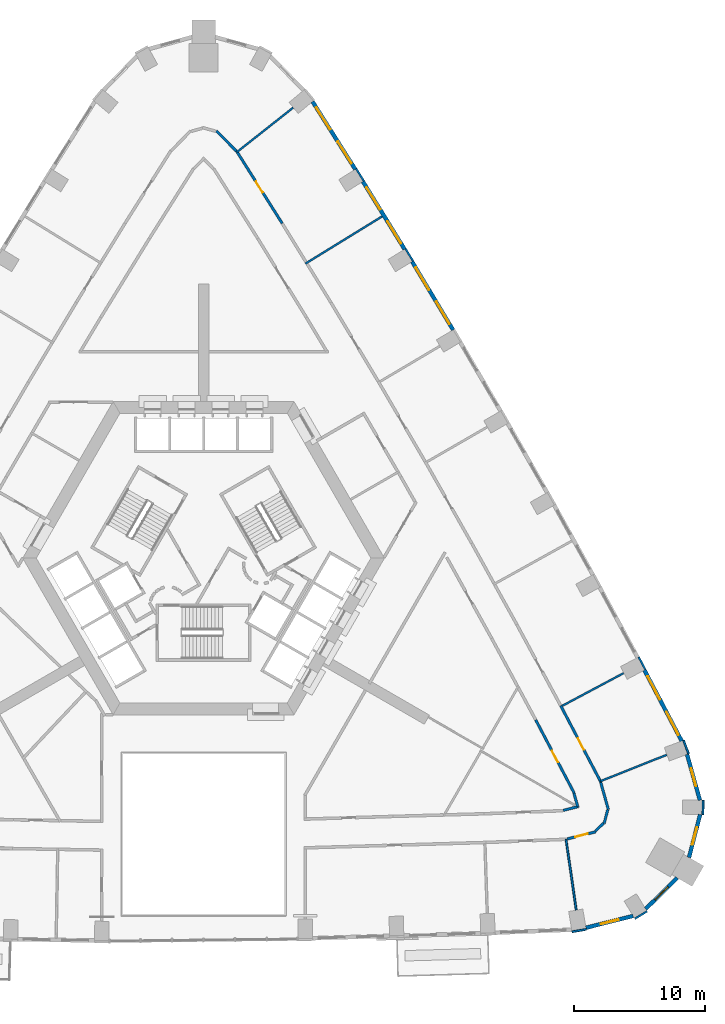
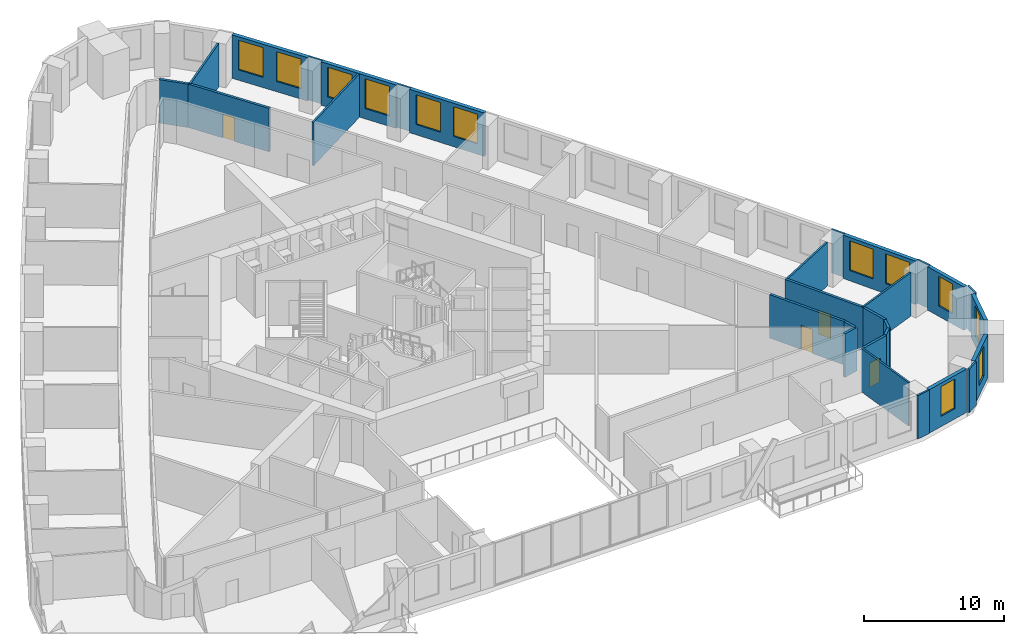
# One storey, part 11 of 14: 30 walls, 12 windows, 4 doors, 16 openings.
"""IFC4 building model written with IfcOpenShell, lengths in metres."""

import ifcopenshell
import ifcopenshell.guid

model = None  # the IFC model being written
_history = None  # IfcOwnerHistory: only IFC2X3 demands one
_inside = {}  # id of a spatial element -> (the spatial element, [elements in it])
_under = {}  # id of a project, library or spatial element -> (it, [spatial elements below it])
_declared = {}  # id of a project -> (the project, [libraries it declares])
_typed = {}  # id of a type object -> (the type object, [elements of that type])
_made_of = {}  # id of a material, layer set ... -> (it, [elements and type objects made of it])


def new_model(schema):
    """Start an empty IFC model of exactly this schema.

    Asked for "IFC4X3", IfcOpenShell would pick the latest addendum, in which some entities
    have other attributes; the version numbers below select the first issue.
    IFC2X3 requires an IfcOwnerHistory on every rooted entity: one is made here for all.
    """
    global model, _history
    if schema == "IFC4X3":
        model = ifcopenshell.file(schema_version=(4, 3, 0, 0))
    else:
        model = ifcopenshell.file(schema=schema)
    _inside.clear()
    _under.clear()
    _declared.clear()
    _typed.clear()
    _made_of.clear()
    _history = None
    if model.schema == "IFC2X3":
        org = make("IfcOrganization", Name="unknown")
        user = make(
            "IfcPersonAndOrganization",
            ThePerson=make("IfcPerson", FamilyName="unknown"),
            TheOrganization=org,
        )
        app = make(
            "IfcApplication",
            ApplicationDeveloper=org,
            Version="unknown",
            ApplicationFullName="unknown",
            ApplicationIdentifier="unknown",
        )
        _history = make(
            "IfcOwnerHistory",
            OwningUser=user,
            OwningApplication=app,
            ChangeAction="ADDED",
            CreationDate=0,
        )
    return model


def make(cls, **values):
    """One entity of the class cls with the attributes given. An attribute that is None is left unset."""
    return model.create_entity(
        cls, **{name: value for name, value in values.items() if value is not None}
    )


def rooted(cls, **values):
    """An entity with a GlobalId (a new one), such as an element, a storey or a relation."""
    return make(cls, GlobalId=ifcopenshell.guid.new(), OwnerHistory=_history, **values)


def si_unit(unit_type, name, prefix=None):
    """IfcSIUnit, for example si_unit("LENGTHUNIT", "METRE", prefix="MILLI")."""
    return make("IfcSIUnit", UnitType=unit_type, Prefix=prefix, Name=name)


def assignment(units):
    """IfcUnitAssignment: the units of a project."""
    return None if units is None else make("IfcUnitAssignment", Units=units)


def point(xyz):
    """IfcCartesianPoint."""
    return None if xyz is None else make("IfcCartesianPoint", Coordinates=xyz)


def direction(xyz):
    """IfcDirection."""
    return None if xyz is None else make("IfcDirection", DirectionRatios=xyz)


def frame(location, z_axis=None, x_axis=None):
    """IfcAxis2Placement3D, a coordinate frame: its origin and axes. An axis left out is left unset."""
    return make(
        "IfcAxis2Placement3D",
        Location=point(location),
        Axis=direction(z_axis),
        RefDirection=direction(x_axis),
    )


def frame_2d(location, x_axis=None):
    """IfcAxis2Placement2D, a coordinate frame in the plane: its origin and x axis."""
    return make(
        "IfcAxis2Placement2D", Location=point(location), RefDirection=direction(x_axis)
    )


def origin():
    """The frame at (0, 0, 0) with its axes left unset."""
    return frame((0.0, 0.0, 0.0))


def place(relative_to, where):
    """IfcLocalPlacement: puts the frame where relative to a parent placement (None: the world)."""
    return make(
        "IfcLocalPlacement", PlacementRelTo=relative_to, RelativePlacement=where
    )


def context(
    kind, dimensions, precision=None, world=None, true_north=None, identifier=None
):
    """IfcGeometricRepresentationContext, for example the 3D "Model" context."""
    return make(
        "IfcGeometricRepresentationContext",
        ContextIdentifier=identifier,
        ContextType=kind,
        CoordinateSpaceDimension=dimensions,
        Precision=precision,
        WorldCoordinateSystem=world,
        TrueNorth=true_north,
    )


def subcontext(parent, identifier, kind, view, scale=None):
    """IfcGeometricRepresentationSubContext, for example "Body" below "Model"."""
    return make(
        "IfcGeometricRepresentationSubContext",
        ContextIdentifier=identifier,
        ContextType=kind,
        ParentContext=parent,
        TargetScale=scale,
        TargetView=view,
    )


def project(units=None, contexts=None):
    """IfcProject with its units and contexts."""
    return rooted(
        "IfcProject",
        Name="project",
        RepresentationContexts=contexts,
        UnitsInContext=assignment(units),
    )


def spatial(cls, under=None, at=None, **own):
    """A site, building, storey or space (cls), placed at a placement, below another one or the project."""
    s = rooted(cls, ObjectPlacement=at, **own)
    if under is not None:
        _under.setdefault(under.id(), (under, []))[1].append(s)
    return s


def profile(cls, at=None, kind="AREA", **sizes):
    """A parametric profile (cls). Its sizes go by their IFC names, for example OverallWidth=200.0."""
    return make(cls, ProfileType=kind, Position=at, **sizes)


def rectangle(**sizes):
    """IfcRectangleProfileDef."""
    return profile("IfcRectangleProfileDef", **sizes)


def extrude(swept, where, along, depth):
    """IfcExtrudedAreaSolid: the profile swept, set in the frame where, extruded along a direction by depth."""
    return make(
        "IfcExtrudedAreaSolid",
        SweptArea=swept,
        Position=where,
        ExtrudedDirection=direction(along),
        Depth=depth,
    )


def shape(context_of_items, identifier, shape_type, items):
    """IfcShapeRepresentation: the items that make up one representation, for example the "Body"."""
    return make(
        "IfcShapeRepresentation",
        ContextOfItems=context_of_items,
        RepresentationIdentifier=identifier,
        RepresentationType=shape_type,
        Items=items,
    )


def material(Name=None, Category=None):
    """IfcMaterial."""
    return make("IfcMaterial", Name=Name, Category=Category)


def layer(
    of_material, thickness, ventilated=None, Name=None, Category=None, Priority=None
):
    """IfcMaterialLayer: one layer of a wall or slab, of a material (None: an air gap)."""
    return make(
        "IfcMaterialLayer",
        Material=of_material,
        LayerThickness=thickness,
        IsVentilated=ventilated,
        Name=Name,
        Category=Category,
        Priority=Priority,
    )


def layer_set(layers, Name=None):
    """IfcMaterialLayerSet."""
    return make("IfcMaterialLayerSet", MaterialLayers=layers, LayerSetName=Name)


def made_of(thing, what):
    """Note that an element or type object is made of a material, layer set ...; save() writes the relation."""
    if what is not None:
        _made_of.setdefault(what.id(), (what, []))[1].append(thing)
    return thing


def type_object(cls, material=None, **own):
    """A type object (cls), such as IfcWallType, which elements share."""
    return made_of(rooted(cls, **own), material)


def element(
    cls,
    number,
    at=None,
    inside=None,
    cuts=None,
    type_object=None,
    material=None,
    context=None,
    identifier="Body",
    shape_type=None,
    held_by="IfcProductDefinitionShape",
    body=None,
    shapes=None,
    **own,
):
    """One element of the class cls, such as IfcWall. Its Tag is "e" and its number.

    at: its placement. inside: the storey or other place that contains it. cuts: it is an
    opening in that element (IfcRelVoidsElement). A single representation is given by context,
    identifier, shape_type and body (its items); several are given by shapes. held_by: the class
    of the entity that holds the representations. save() writes the other relations.
    """
    e = rooted(cls, Tag="e%d" % number, ObjectPlacement=at, **own)
    if body is not None:
        shapes = [shape(context, identifier, shape_type, body)]
    if shapes is not None:
        e.Representation = make(held_by, Representations=shapes)
    if inside is not None:
        _inside.setdefault(inside.id(), (inside, []))[1].append(e)
    if cuts is not None:
        rooted(
            "IfcRelVoidsElement", RelatingBuildingElement=cuts, RelatedOpeningElement=e
        )
    if type_object is not None:
        _typed.setdefault(type_object.id(), (type_object, []))[1].append(e)
    return made_of(e, material)


def fill(opening, filler):
    """IfcRelFillsElement: the door or window that sits in an opening."""
    return rooted(
        "IfcRelFillsElement",
        RelatingOpeningElement=opening,
        RelatedBuildingElement=filler,
    )


def aggregate(whole, parts):
    """IfcRelAggregates: a whole, such as a stair, and the parts it consists of."""
    return rooted("IfcRelAggregates", RelatingObject=whole, RelatedObjects=parts)


def save(model, path):
    """Write the relations noted so far, then the file.

    IfcRelAggregates (storeys below a building ...), IfcRelContainedInSpatialStructure (elements
    in a storey), IfcRelDefinesByType, IfcRelAssociatesMaterial and IfcRelDeclares: one each for
    every whole, place, type object, material and project.
    """
    for whole, parts in _under.values():
        aggregate(whole, parts)
    for where, things in _inside.values():
        rooted(
            "IfcRelContainedInSpatialStructure",
            RelatedElements=things,
            RelatingStructure=where,
        )
    for kind, things in _typed.values():
        rooted("IfcRelDefinesByType", RelatedObjects=things, RelatingType=kind)
    for what, things in _made_of.values():
        rooted("IfcRelAssociatesMaterial", RelatedObjects=things, RelatingMaterial=what)
    for by, libraries in _declared.values():
        rooted("IfcRelDeclares", RelatingContext=by, RelatedDefinitions=libraries)
    model.write(path)


model = new_model("IFC4")

# Units and contexts
model_context = context("Model", 3, precision=1e-05, world=origin(), true_north=direction((0.0, 1.0)))
body_context = subcontext(model_context, "Body", "Model", "MODEL_VIEW")
ifc_project = project(units=[si_unit("LENGTHUNIT", "METRE"), si_unit("AREAUNIT", "SQUARE_METRE"), si_unit("VOLUMEUNIT", "CUBIC_METRE"), si_unit("PLANEANGLEUNIT", "RADIAN"), si_unit("MASSUNIT", "GRAM", prefix="KILO")], contexts=[model_context])

# Site, building, storey
site_placement = place(None, origin())
site = spatial("IfcSite", under=ifc_project, at=site_placement, CompositionType="ELEMENT")
building_placement = place(site_placement, origin())
building = spatial("IfcBuilding", under=site, at=building_placement, Name="Entoto Arch Interchange Tower", CompositionType="ELEMENT")
storey_placement = place(building_placement, frame((0.0, 0.0, 103.39990234375)))
storey = spatial("IfcBuildingStorey", under=building, at=storey_placement, Name="L22", CompositionType="ELEMENT", Elevation=103.39990234375)

# Walls
ifc_material_1 = material(Name="Gypsum board partition on steel studs", Category="steel")
ifc_layer_1 = layer(ifc_material_1, 0.14990234375)
ifc_layer_set_1 = layer_set([ifc_layer_1], Name="Gypsum board partition on steel studs")
wall_type_1 = type_object("IfcWallType", Name="PARTITION 150", PredefinedType="PARTITIONING", material=ifc_layer_set_1)
wall_1_placement = place(storey_placement, frame((27.764892578125, -19.035888671875, 0.0), z_axis=(0.0, 0.0, 1.0), x_axis=(0.142827612329, -0.989747580526, 0.0)))
element("IfcWall", 1, at=wall_1_placement, inside=storey, type_object=wall_type_1, Name="wall:L22:p138", PredefinedType="PARTITIONING", context=body_context, shape_type="SweptSolid", body=[
    extrude(rectangle(XDim=5.46826171875, YDim=0.14990234375, at=frame_2d((2.734130859375, 0.0))), origin(), (0.0, 0.0, 1.0), 3.800048828125),
])
wall_2_placement = place(storey_placement, frame((30.39892578125, -14.587890625, 0.0), z_axis=(0.0, 0.0, 1.0), x_axis=(0.92913411584, 0.36974287658, 0.0)))
element("IfcWall", 2, at=wall_2_placement, inside=storey, type_object=wall_type_1, Name="wall:L22:p139", PredefinedType="PARTITIONING", context=body_context, shape_type="SweptSolid", body=[
    extrude(rectangle(XDim=5.468505859375, YDim=0.14990234375, at=frame_2d((2.734375, 0.0))), origin(), (0.0, 0.0, 1.0), 3.800048828125),
])
wall_3_placement = place(storey_placement, frame((27.47607421875, -8.81396484375, 0.0), z_axis=(0.0, 0.0, 1.0), x_axis=(0.882440424847, 0.47042416668, 0.0)))
element("IfcWall", 3, at=wall_3_placement, inside=storey, type_object=wall_type_1, Name="wall:L22:p140", PredefinedType="PARTITIONING", context=body_context, shape_type="SweptSolid", body=[
    extrude(rectangle(XDim=5.329345703125, YDim=0.14990234375, at=frame_2d((2.66455078125, 0.0))), origin(), (0.0, 0.0, 1.0), 3.800048828125),
])
wall_4_placement = place(storey_placement, frame((7.802001953125, 25.06396484375, 0.0), z_axis=(0.0, 0.0, 1.0), x_axis=(0.851596352662, 0.524198103901, 0.0)))
element("IfcWall", 4, at=wall_4_placement, inside=storey, type_object=wall_type_1, Name="wall:L22:p144", PredefinedType="PARTITIONING", context=body_context, shape_type="SweptSolid", body=[
    extrude(rectangle(XDim=6.89990234375, YDim=0.14990234375, at=frame_2d((3.449951171875, 0.0))), origin(), (0.0, 0.0, 1.0), 3.800048828125),
])
wall_5_placement = place(storey_placement, frame((2.56591796875, 33.6201171875, 0.0), z_axis=(0.0, 0.0, 1.0), x_axis=(0.784838195876, 0.619700739304, 0.0)))
element("IfcWall", 5, at=wall_5_placement, inside=storey, type_object=wall_type_1, Name="wall:L22:p145", PredefinedType="PARTITIONING", context=body_context, shape_type="SweptSolid", body=[
    extrude(rectangle(XDim=5.46875, YDim=0.14990234375, at=frame_2d((2.734375, 0.0))), origin(), (0.0, 0.0, 1.0), 3.800048828125),
])
ifc_layer_2 = layer(ifc_material_1, 0.199951171875)
ifc_layer_set_2 = layer_set([ifc_layer_2], Name="Gypsum board partition on steel studs")
wall_type_2 = type_object("IfcWallType", Name="PARTITION 200", PredefinedType="PARTITIONING", material=ifc_layer_set_2)
wall_6_placement = place(storey_placement, frame((27.5458984375, -16.822021484375, 0.0), z_axis=(0.0, 0.0, 1.0), x_axis=(0.969694756333, 0.244319625777, 0.0)))
element("IfcWall", 6, at=wall_6_placement, inside=storey, type_object=wall_type_2, Name="wall:L22:p023", PredefinedType="PARTITIONING", context=body_context, shape_type="SweptSolid", body=[
    extrude(rectangle(XDim=1.191162109375, YDim=0.199951171875, at=frame_2d((0.595703125, 0.0))), origin(), (0.0, 0.0, 1.0), 3.800048828125),
])
wall_7_placement = place(storey_placement, frame((28.662109375, -16.541015625, 0.0), z_axis=(0.0, 0.0, 1.0), x_axis=(-0.270771802087, 0.96264356394, 0.0)))
element("IfcWall", 7, at=wall_7_placement, inside=storey, type_object=wall_type_2, Name="wall:L22:p024", PredefinedType="PARTITIONING", context=body_context, shape_type="SweptSolid", body=[
    extrude(rectangle(XDim=1.078369140625, YDim=0.199951171875, at=frame_2d((0.5390625, 0.0))), origin(), (0.0, 0.0, 1.0), 3.800048828125),
])

# Wall, opening, door
wall_8_placement = place(storey_placement, frame((28.389892578125, -15.4951171875, 0.0), z_axis=(0.0, 0.0, 1.0), x_axis=(-0.465367816287, 0.885117390838, 0.0)))
wall_8 = element("IfcWall", 8, at=wall_8_placement, inside=storey, type_object=wall_type_2, Name="wall:L22:p025", PredefinedType="PARTITIONING", context=body_context, shape_type="SweptSolid", body=[
    extrude(rectangle(XDim=6.325927734375, YDim=0.199951171875, at=frame_2d((3.1630859375, 0.0))), origin(), (0.0, 0.0, 1.0), 3.800048828125),
])
opening_1_placement = place(wall_8_placement, frame((2.6630859375, 0.0, 0.0)))
opening_1 = element("IfcOpeningElement", 9, at=opening_1_placement, cuts=wall_8, Name="Opening L22-D24", PredefinedType="OPENING", context=body_context, shape_type="SweptSolid", body=[
    extrude(rectangle(XDim=1.0, YDim=2.10009765625, at=frame_2d((0.5, 1.050048828125))), frame((0.0, 0.10986328125, 0.0), z_axis=(0.0, -1.0, 0.0), x_axis=(1.0, 0.0, 0.0)), (0.0, 0.0, 1.0), 0.219970703125),
])
ifc_material_2 = material(Name="Timber door leaf in Steel S235 frame", Category="steel")
door_type = type_object("IfcDoorType", Name="DOOR DS-10 1000x2100", OperationType="SINGLE_SWING_LEFT", PredefinedType="DOOR", material=ifc_material_2)
door_1_placement = place(opening_1_placement, origin())
door_1 = element("IfcDoor", 10, at=door_1_placement, inside=storey, type_object=door_type, Name="door:L22:24", OperationType="SINGLE_SWING_LEFT", OverallHeight=2.10009765625, OverallWidth=1.0, PredefinedType="DOOR", context=body_context, shape_type="SweptSolid", body=[
    extrude(rectangle(XDim=1.0, YDim=2.10009765625, at=frame_2d((0.5, 1.050048828125))), frame((0.0, 0.02490234375, 0.0), z_axis=(0.0, -1.0, 0.0), x_axis=(1.0, 0.0, 0.0)), (0.0, 0.0, 1.0), 0.050048828125),
])
fill(opening_1, door_1)

# Walls
wall_9_placement = place(storey_placement, frame((30.426025390625, -14.68505859375, 0.0), z_axis=(0.0, 0.0, 1.0), x_axis=(0.270131711391, -0.962823378664, 0.0)))
element("IfcWall", 11, at=wall_9_placement, inside=storey, type_object=wall_type_2, Name="wall:L22:p045", PredefinedType="PARTITIONING", context=body_context, shape_type="SweptSolid", body=[
    extrude(rectangle(XDim=2.16552734375, YDim=0.199951171875, at=frame_2d((1.082763671875, 0.0))), origin(), (0.0, 0.0, 1.0), 3.800048828125),
])
wall_10_placement = place(storey_placement, frame((30.958984375, -16.77099609375, 0.0), z_axis=(0.0, 0.0, 1.0), x_axis=(-0.251109729392, -0.967958627114, 0.0)))
element("IfcWall", 12, at=wall_10_placement, inside=storey, type_object=wall_type_2, Name="wall:L22:p046", PredefinedType="PARTITIONING", context=body_context, shape_type="SweptSolid", body=[
    extrude(rectangle(XDim=1.0908203125, YDim=0.199951171875, at=frame_2d((0.54541015625, 0.0))), origin(), (0.0, 0.0, 1.0), 3.800048828125),
])
wall_11_placement = place(storey_placement, frame((30.638916015625, -17.801025390625, 0.0), z_axis=(0.0, 0.0, 1.0), x_axis=(-0.713329122722, -0.700829196507, 0.0)))
element("IfcWall", 13, at=wall_11_placement, inside=storey, type_object=wall_type_2, Name="wall:L22:p047", PredefinedType="PARTITIONING", context=body_context, shape_type="SweptSolid", body=[
    extrude(rectangle(XDim=0.87890625, YDim=0.199951171875, at=frame_2d((0.439453125, 0.0))), origin(), (0.0, 0.0, 1.0), 3.800048828125),
])

# Wall, opening, door
wall_12_placement = place(storey_placement, frame((30.037109375, -18.462890625, 0.0), z_axis=(0.0, 0.0, 1.0), x_axis=(-0.969686214682, -0.244353524746, 0.0)))
wall_12 = element("IfcWall", 14, at=wall_12_placement, inside=storey, type_object=wall_type_2, Name="wall:L22:p048", PredefinedType="PARTITIONING", context=body_context, shape_type="SweptSolid", body=[
    extrude(rectangle(XDim=2.2431640625, YDim=0.199951171875, at=frame_2d((1.12158203125, 0.0))), origin(), (0.0, 0.0, 1.0), 3.800048828125),
])
opening_2_placement = place(wall_12_placement, frame((0.6220703125, 0.0, 0.0)))
opening_2 = element("IfcOpeningElement", 15, at=opening_2_placement, cuts=wall_12, Name="Opening L22-D03", PredefinedType="OPENING", context=body_context, shape_type="SweptSolid", body=[
    extrude(rectangle(XDim=1.0, YDim=2.10009765625, at=frame_2d((0.5, 1.050048828125))), frame((0.0, 0.10986328125, 0.0), z_axis=(0.0, -1.0, 0.0), x_axis=(1.0, 0.0, 0.0)), (0.0, 0.0, 1.0), 0.219970703125),
])
door_2_placement = place(opening_2_placement, origin())
door_2 = element("IfcDoor", 16, at=door_2_placement, inside=storey, type_object=door_type, Name="door:L22:03", OperationType="SINGLE_SWING_LEFT", OverallHeight=2.10009765625, OverallWidth=1.0, PredefinedType="DOOR", context=body_context, shape_type="SweptSolid", body=[
    extrude(rectangle(XDim=1.0, YDim=2.10009765625, at=frame_2d((0.5, 1.050048828125))), frame((0.0, 0.02490234375, 0.0), z_axis=(0.0, -1.0, 0.0), x_axis=(1.0, 0.0, 0.0)), (0.0, 0.0, 1.0), 0.050048828125),
])
fill(opening_2, door_2)

wall_13_placement = place(storey_placement, frame((27.35302734375, -8.7939453125, 0.0), z_axis=(0.0, 0.0, 1.0), x_axis=(0.465239168813, -0.885185017836, 0.0)))
wall_13 = element("IfcWall", 17, at=wall_13_placement, inside=storey, type_object=wall_type_2, Name="wall:L22:p049", PredefinedType="PARTITIONING", context=body_context, shape_type="SweptSolid", body=[
    extrude(rectangle(XDim=6.646240234375, YDim=0.199951171875, at=frame_2d((3.3232421875, 0.0))), origin(), (0.0, 0.0, 1.0), 3.800048828125),
])
opening_3_placement = place(wall_13_placement, frame((2.822998046875, 0.0, 0.0)))
opening_3 = element("IfcOpeningElement", 18, at=opening_3_placement, cuts=wall_13, Name="Opening L22-D04", PredefinedType="OPENING", context=body_context, shape_type="SweptSolid", body=[
    extrude(rectangle(XDim=1.0, YDim=2.10009765625, at=frame_2d((0.5, 1.050048828125))), frame((0.0, 0.10986328125, 0.0), z_axis=(0.0, -1.0, 0.0), x_axis=(1.0, 0.0, 0.0)), (0.0, 0.0, 1.0), 0.219970703125),
])
door_3_placement = place(opening_3_placement, origin())
door_3 = element("IfcDoor", 19, at=door_3_placement, inside=storey, type_object=door_type, Name="door:L22:04", OperationType="SINGLE_SWING_LEFT", OverallHeight=2.10009765625, OverallWidth=1.0, PredefinedType="DOOR", context=body_context, shape_type="SweptSolid", body=[
    extrude(rectangle(XDim=1.0, YDim=2.10009765625, at=frame_2d((0.5, 1.050048828125))), frame((0.0, 0.02490234375, 0.0), z_axis=(0.0, -1.0, 0.0), x_axis=(1.0, 0.0, 0.0)), (0.0, 0.0, 1.0), 0.050048828125),
])
fill(opening_3, door_3)

wall_14_placement = place(storey_placement, frame((2.512939453125, 33.705078125, 0.0), z_axis=(0.0, 0.0, 1.0), x_axis=(0.533874165031, -0.845563939577, 0.0)))
wall_14 = element("IfcWall", 20, at=wall_14_placement, inside=storey, type_object=wall_type_2, Name="wall:L22:p057", PredefinedType="PARTITIONING", context=body_context, shape_type="SweptSolid", body=[
    extrude(rectangle(XDim=6.571044921875, YDim=0.199951171875, at=frame_2d((3.28564453125, 0.0))), origin(), (0.0, 0.0, 1.0), 3.800048828125),
])
opening_4_placement = place(wall_14_placement, frame((2.784912109375, 0.0, 0.0)))
opening_4 = element("IfcOpeningElement", 21, at=opening_4_placement, cuts=wall_14, Name="Opening L22-D09", PredefinedType="OPENING", context=body_context, shape_type="SweptSolid", body=[
    extrude(rectangle(XDim=1.0, YDim=2.10009765625, at=frame_2d((0.5, 1.050048828125))), frame((0.0, 0.10986328125, 0.0), z_axis=(0.0, -1.0, 0.0), x_axis=(1.0, 0.0, 0.0)), (0.0, 0.0, 1.0), 0.219970703125),
])
door_4_placement = place(opening_4_placement, origin())
door_4 = element("IfcDoor", 22, at=door_4_placement, inside=storey, type_object=door_type, Name="door:L22:09", OperationType="SINGLE_SWING_LEFT", OverallHeight=2.10009765625, OverallWidth=1.0, PredefinedType="DOOR", context=body_context, shape_type="SweptSolid", body=[
    extrude(rectangle(XDim=1.0, YDim=2.10009765625, at=frame_2d((0.5, 1.050048828125))), frame((0.0, 0.02490234375, 0.0), z_axis=(0.0, -1.0, 0.0), x_axis=(1.0, 0.0, 0.0)), (0.0, 0.0, 1.0), 0.050048828125),
])
fill(opening_4, door_4)

# Wall
wall_15_placement = place(storey_placement, frame((0.98291015625, 35.240966796875, 0.0), z_axis=(0.0, 0.0, 1.0), x_axis=(0.698771726105, -0.715344724449, 0.0)))
element("IfcWall", 23, at=wall_15_placement, inside=storey, type_object=wall_type_2, Name="wall:L22:p064", PredefinedType="PARTITIONING", context=body_context, shape_type="SweptSolid", body=[
    extrude(rectangle(XDim=2.16552734375, YDim=0.199951171875, at=frame_2d((1.082763671875, 0.0))), origin(), (0.0, 0.0, 1.0), 3.800048828125),
])

# Wall, opening, window
ifc_material_3 = material(Name="Welded tuff (ignimbrite) cladding, warm buff", Category="masonry")
ifc_layer_3 = layer(ifc_material_3, 0.300048828125)
ifc_layer_set_3 = layer_set([ifc_layer_3], Name="Welded tuff (ignimbrite) cladding, warm buff")
wall_type_3 = type_object("IfcWallType", Name="STONE INFILL WALL 300", PredefinedType="STANDARD", material=ifc_layer_set_3)
wall_16_placement = place(storey_placement, frame((29.29296875, -25.818115234375, 0.0), z_axis=(0.0, 0.0, 1.0), x_axis=(0.969658938481, 0.244461741432, 0.0)))
wall_16 = element("IfcWall", 24, at=wall_16_placement, inside=storey, type_object=wall_type_3, Name="Facade wall SE-01 L22", PredefinedType="STANDARD", context=body_context, shape_type="SweptSolid", body=[
    extrude(rectangle(XDim=3.72705078125, YDim=0.300048828125, at=frame_2d((1.863525390625, 0.0))), origin(), (0.0, 0.0, 1.0), 3.800048828125),
])
opening_5_placement = place(wall_16_placement, frame((1.1640625, 0.0, 0.89990234375)))
opening_5 = element("IfcOpeningElement", 25, at=opening_5_placement, cuts=wall_16, Name="Opening WO-B", PredefinedType="OPENING", context=body_context, shape_type="SweptSolid", body=[
    extrude(rectangle(XDim=1.39990234375, YDim=2.60009765625, at=frame_2d((0.699951171875, 1.300048828125))), frame((0.0, 0.16015625, 0.0), z_axis=(0.0, -1.0, 0.0), x_axis=(1.0, 0.0, 0.0)), (0.0, 0.0, 1.0), 0.320068359375),
])
ifc_material_4 = material(Name="Clear glass, low-e double glazed", Category="glass")
window_type_1 = type_object("IfcWindowType", Name="WINDOW WO-B 1400x2600", PartitioningType="DOUBLE_PANEL_VERTICAL", PredefinedType="WINDOW", material=ifc_material_4)
window_1_placement = place(opening_5_placement, origin())
window_1 = element("IfcWindow", 26, at=window_1_placement, inside=storey, type_object=window_type_1, Name="Window WO-B SE-01 L22", OverallHeight=2.60009765625, OverallWidth=1.39990234375, PartitioningType="SINGLE_PANEL", PredefinedType="WINDOW", context=body_context, shape_type="SweptSolid", body=[
    extrude(rectangle(XDim=1.39990234375, YDim=2.60009765625, at=frame_2d((0.699951171875, 1.300048828125))), frame((0.0, 0.030029296875, 0.0), z_axis=(0.0, -1.0, 0.0), x_axis=(1.0, 0.0, 0.0)), (0.0, 0.0, 1.0), 0.06005859375),
])
fill(opening_5, window_1)

wall_17_placement = place(storey_placement, frame((33.867919921875, -24.3740234375, 0.0), z_axis=(0.0, 0.0, 1.0), x_axis=(0.712546371703, 0.701625019631, 0.0)))
wall_17 = element("IfcWall", 27, at=wall_17_placement, inside=storey, type_object=wall_type_3, Name="Facade wall SE-02 L22", PredefinedType="STANDARD", context=body_context, shape_type="SweptSolid", body=[
    extrude(rectangle(XDim=3.39794921875, YDim=0.300048828125, at=frame_2d((1.698974609375, 0.0))), origin(), (0.0, 0.0, 1.0), 3.800048828125),
])
opening_6_placement = place(wall_17_placement, frame((0.9990234375, 0.0, 0.89990234375)))
opening_6 = element("IfcOpeningElement", 28, at=opening_6_placement, cuts=wall_17, Name="Opening WO-B", PredefinedType="OPENING", context=body_context, shape_type="SweptSolid", body=[
    extrude(rectangle(XDim=1.39990234375, YDim=2.60009765625, at=frame_2d((0.699951171875, 1.300048828125))), frame((0.0, 0.16015625, 0.0), z_axis=(0.0, -1.0, 0.0), x_axis=(1.0, 0.0, 0.0)), (0.0, 0.0, 1.0), 0.320068359375),
])
window_2_placement = place(opening_6_placement, origin())
window_2 = element("IfcWindow", 29, at=window_2_placement, inside=storey, type_object=window_type_1, Name="Window WO-B SE-02 L22", OverallHeight=2.60009765625, OverallWidth=1.39990234375, PartitioningType="SINGLE_PANEL", PredefinedType="WINDOW", context=body_context, shape_type="SweptSolid", body=[
    extrude(rectangle(XDim=1.39990234375, YDim=2.60009765625, at=frame_2d((0.699951171875, 1.300048828125))), frame((0.0, 0.030029296875, 0.0), z_axis=(0.0, -1.0, 0.0), x_axis=(1.0, 0.0, 0.0)), (0.0, 0.0, 1.0), 0.06005859375),
])
fill(opening_6, window_2)

wall_18_placement = place(storey_placement, frame((37.18896484375, -20.43310546875, 0.0), z_axis=(0.0, 0.0, 1.0), x_axis=(0.251046938153, 0.967974914367, 0.0)))
wall_18 = element("IfcWall", 30, at=wall_18_placement, inside=storey, type_object=wall_type_3, Name="Facade wall SE-03 L22", PredefinedType="STANDARD", context=body_context, shape_type="SweptSolid", body=[
    extrude(rectangle(XDim=3.39794921875, YDim=0.300048828125, at=frame_2d((1.698974609375, 0.0))), origin(), (0.0, 0.0, 1.0), 3.800048828125),
])
opening_7_placement = place(wall_18_placement, frame((0.9990234375, 0.0, 0.89990234375)))
opening_7 = element("IfcOpeningElement", 31, at=opening_7_placement, cuts=wall_18, Name="Opening WO-B", PredefinedType="OPENING", context=body_context, shape_type="SweptSolid", body=[
    extrude(rectangle(XDim=1.39990234375, YDim=2.60009765625, at=frame_2d((0.699951171875, 1.300048828125))), frame((0.0, 0.16015625, 0.0), z_axis=(0.0, -1.0, 0.0), x_axis=(1.0, 0.0, 0.0)), (0.0, 0.0, 1.0), 0.320068359375),
])
window_3_placement = place(opening_7_placement, origin())
window_3 = element("IfcWindow", 32, at=window_3_placement, inside=storey, type_object=window_type_1, Name="Window WO-B SE-03 L22", OverallHeight=2.60009765625, OverallWidth=1.39990234375, PartitioningType="SINGLE_PANEL", PredefinedType="WINDOW", context=body_context, shape_type="SweptSolid", body=[
    extrude(rectangle(XDim=1.39990234375, YDim=2.60009765625, at=frame_2d((0.699951171875, 1.300048828125))), frame((0.0, 0.030029296875, 0.0), z_axis=(0.0, -1.0, 0.0), x_axis=(1.0, 0.0, 0.0)), (0.0, 0.0, 1.0), 0.06005859375),
])
fill(opening_7, window_3)

wall_19_placement = place(storey_placement, frame((38.02587890625, -16.0458984375, 0.0), z_axis=(0.0, 0.0, 1.0), x_axis=(-0.270054089595, 0.96284515302, 0.0)))
wall_19 = element("IfcWall", 33, at=wall_19_placement, inside=storey, type_object=wall_type_3, Name="Facade wall SE-04 L22", PredefinedType="STANDARD", context=body_context, shape_type="SweptSolid", body=[
    extrude(rectangle(XDim=3.650634765625, YDim=0.300048828125, at=frame_2d((1.8251953125, 0.0))), origin(), (0.0, 0.0, 1.0), 3.800048828125),
])
opening_8_placement = place(wall_19_placement, frame((1.125, 0.0, 0.89990234375)))
opening_8 = element("IfcOpeningElement", 34, at=opening_8_placement, cuts=wall_19, Name="Opening WO-B", PredefinedType="OPENING", context=body_context, shape_type="SweptSolid", body=[
    extrude(rectangle(XDim=1.39990234375, YDim=2.60009765625, at=frame_2d((0.699951171875, 1.300048828125))), frame((0.0, 0.16015625, 0.0), z_axis=(0.0, -1.0, 0.0), x_axis=(1.0, 0.0, 0.0)), (0.0, 0.0, 1.0), 0.320068359375),
])
window_4_placement = place(opening_8_placement, origin())
window_4 = element("IfcWindow", 35, at=window_4_placement, inside=storey, type_object=window_type_1, Name="Window WO-B SE-04 L22", OverallHeight=2.60009765625, OverallWidth=1.39990234375, PartitioningType="SINGLE_PANEL", PredefinedType="WINDOW", context=body_context, shape_type="SweptSolid", body=[
    extrude(rectangle(XDim=1.39990234375, YDim=2.60009765625, at=frame_2d((0.699951171875, 1.300048828125))), frame((0.0, 0.030029296875, 0.0), z_axis=(0.0, -1.0, 0.0), x_axis=(1.0, 0.0, 0.0)), (0.0, 0.0, 1.0), 0.06005859375),
])
fill(opening_8, window_4)

# Wall, openings, windows
wall_20_placement = place(storey_placement, frame((36.633056640625, -11.510986328125, 0.0), z_axis=(0.0, 0.0, 1.0), x_axis=(-0.465380908665, 0.88511050714, 0.0)))
wall_20 = element("IfcWall", 36, at=wall_20_placement, inside=storey, type_object=wall_type_3, Name="Facade wall NE-01 L22", PredefinedType="STANDARD", context=body_context, shape_type="SweptSolid", body=[
    extrude(rectangle(XDim=6.139404296875, YDim=0.300048828125, at=frame_2d((3.06982421875, 0.0))), origin(), (0.0, 0.0, 1.0), 3.800048828125),
])
opening_9_placement = place(wall_20_placement, frame((0.534912109375, 0.0, 0.89990234375)))
opening_9 = element("IfcOpeningElement", 37, at=opening_9_placement, cuts=wall_20, Name="Opening WO-C", PredefinedType="OPENING", context=body_context, shape_type="SweptSolid", body=[
    extrude(rectangle(XDim=2.0, YDim=2.60009765625, at=frame_2d((1.0, 1.300048828125))), frame((0.0, 0.16015625, 0.0), z_axis=(0.0, -1.0, 0.0), x_axis=(1.0, 0.0, 0.0)), (0.0, 0.0, 1.0), 0.320068359375),
])
opening_10_placement = place(wall_20_placement, frame((3.60400390625, 0.0, 0.89990234375)))
opening_10 = element("IfcOpeningElement", 38, at=opening_10_placement, cuts=wall_20, Name="Opening WO-C", PredefinedType="OPENING", context=body_context, shape_type="SweptSolid", body=[
    extrude(rectangle(XDim=2.0, YDim=2.60009765625, at=frame_2d((1.0, 1.300048828125))), frame((0.0, 0.16015625, 0.0), z_axis=(0.0, -1.0, 0.0), x_axis=(1.0, 0.0, 0.0)), (0.0, 0.0, 1.0), 0.320068359375),
])
window_type_2 = type_object("IfcWindowType", Name="WINDOW WO-C 2000x2600", PartitioningType="DOUBLE_PANEL_VERTICAL", PredefinedType="WINDOW", material=ifc_material_4)
window_5_placement = place(opening_9_placement, origin())
window_5 = element("IfcWindow", 39, at=window_5_placement, inside=storey, type_object=window_type_2, Name="Window WO-C NE-01 L22", OverallHeight=2.60009765625, OverallWidth=2.0, PartitioningType="SINGLE_PANEL", PredefinedType="WINDOW", context=body_context, shape_type="SweptSolid", body=[
    extrude(rectangle(XDim=2.0, YDim=2.60009765625, at=frame_2d((1.0, 1.300048828125))), frame((0.0, 0.030029296875, 0.0), z_axis=(0.0, -1.0, 0.0), x_axis=(1.0, 0.0, 0.0)), (0.0, 0.0, 1.0), 0.06005859375),
])
fill(opening_9, window_5)
window_6_placement = place(opening_10_placement, origin())
window_6 = element("IfcWindow", 40, at=window_6_placement, inside=storey, type_object=window_type_2, Name="Window WO-C NE-01 L22", OverallHeight=2.60009765625, OverallWidth=2.0, PartitioningType="SINGLE_PANEL", PredefinedType="WINDOW", context=body_context, shape_type="SweptSolid", body=[
    extrude(rectangle(XDim=2.0, YDim=2.60009765625, at=frame_2d((1.0, 1.300048828125))), frame((0.0, 0.030029296875, 0.0), z_axis=(0.0, -1.0, 0.0), x_axis=(1.0, 0.0, 0.0)), (0.0, 0.0, 1.0), 0.06005859375),
])
fill(opening_10, window_6)

wall_21_placement = place(storey_placement, frame((19.116943359375, 19.987060546875, 0.0), z_axis=(0.0, 0.0, 1.0), x_axis=(-0.514560454873, 0.857454102726, 0.0)))
wall_21 = element("IfcWall", 41, at=wall_21_placement, inside=storey, type_object=wall_type_3, Name="Facade wall NE-06 L22", PredefinedType="STANDARD", context=body_context, shape_type="SweptSolid", body=[
    extrude(rectangle(XDim=6.10400390625, YDim=0.300048828125, at=frame_2d((3.052001953125, 0.0))), origin(), (0.0, 0.0, 1.0), 3.800048828125),
])
opening_11_placement = place(wall_21_placement, frame((0.52587890625, 0.0, 0.89990234375)))
opening_11 = element("IfcOpeningElement", 42, at=opening_11_placement, cuts=wall_21, Name="Opening WO-C", PredefinedType="OPENING", context=body_context, shape_type="SweptSolid", body=[
    extrude(rectangle(XDim=2.0, YDim=2.60009765625, at=frame_2d((1.0, 1.300048828125))), frame((0.0, 0.16015625, 0.0), z_axis=(0.0, -1.0, 0.0), x_axis=(1.0, 0.0, 0.0)), (0.0, 0.0, 1.0), 0.320068359375),
])
opening_12_placement = place(wall_21_placement, frame((3.577880859375, 0.0, 0.89990234375)))
opening_12 = element("IfcOpeningElement", 43, at=opening_12_placement, cuts=wall_21, Name="Opening WO-C", PredefinedType="OPENING", context=body_context, shape_type="SweptSolid", body=[
    extrude(rectangle(XDim=2.0, YDim=2.60009765625, at=frame_2d((1.0, 1.300048828125))), frame((0.0, 0.16015625, 0.0), z_axis=(0.0, -1.0, 0.0), x_axis=(1.0, 0.0, 0.0)), (0.0, 0.0, 1.0), 0.320068359375),
])
window_7_placement = place(opening_11_placement, origin())
window_7 = element("IfcWindow", 44, at=window_7_placement, inside=storey, type_object=window_type_2, Name="Window WO-C NE-06 L22", OverallHeight=2.60009765625, OverallWidth=2.0, PartitioningType="SINGLE_PANEL", PredefinedType="WINDOW", context=body_context, shape_type="SweptSolid", body=[
    extrude(rectangle(XDim=2.0, YDim=2.60009765625, at=frame_2d((1.0, 1.300048828125))), frame((0.0, 0.030029296875, 0.0), z_axis=(0.0, -1.0, 0.0), x_axis=(1.0, 0.0, 0.0)), (0.0, 0.0, 1.0), 0.06005859375),
])
fill(opening_11, window_7)
window_8_placement = place(opening_12_placement, origin())
window_8 = element("IfcWindow", 45, at=window_8_placement, inside=storey, type_object=window_type_2, Name="Window WO-C NE-06 L22", OverallHeight=2.60009765625, OverallWidth=2.0, PartitioningType="SINGLE_PANEL", PredefinedType="WINDOW", context=body_context, shape_type="SweptSolid", body=[
    extrude(rectangle(XDim=2.0, YDim=2.60009765625, at=frame_2d((1.0, 1.300048828125))), frame((0.0, 0.030029296875, 0.0), z_axis=(0.0, -1.0, 0.0), x_axis=(1.0, 0.0, 0.0)), (0.0, 0.0, 1.0), 0.06005859375),
])
fill(opening_12, window_8)

wall_22_placement = place(storey_placement, frame((15.406005859375, 26.159912109375, 0.0), z_axis=(0.0, 0.0, 1.0), x_axis=(-0.524121974895, 0.851643208998, 0.0)))
wall_22 = element("IfcWall", 46, at=wall_22_placement, inside=storey, type_object=wall_type_3, Name="Facade wall NE-07 L22", PredefinedType="STANDARD", context=body_context, shape_type="SweptSolid", body=[
    extrude(rectangle(XDim=6.103515625, YDim=0.300048828125, at=frame_2d((3.0517578125, 0.0))), origin(), (0.0, 0.0, 1.0), 3.800048828125),
])
opening_13_placement = place(wall_22_placement, frame((0.52587890625, 0.0, 0.89990234375)))
opening_13 = element("IfcOpeningElement", 47, at=opening_13_placement, cuts=wall_22, Name="Opening WO-C", PredefinedType="OPENING", context=body_context, shape_type="SweptSolid", body=[
    extrude(rectangle(XDim=2.0, YDim=2.60009765625, at=frame_2d((1.0, 1.300048828125))), frame((0.0, 0.16015625, 0.0), z_axis=(0.0, -1.0, 0.0), x_axis=(1.0, 0.0, 0.0)), (0.0, 0.0, 1.0), 0.320068359375),
])
opening_14_placement = place(wall_22_placement, frame((3.577880859375, 0.0, 0.89990234375)))
opening_14 = element("IfcOpeningElement", 48, at=opening_14_placement, cuts=wall_22, Name="Opening WO-C", PredefinedType="OPENING", context=body_context, shape_type="SweptSolid", body=[
    extrude(rectangle(XDim=2.0, YDim=2.60009765625, at=frame_2d((1.0, 1.300048828125))), frame((0.0, 0.16015625, 0.0), z_axis=(0.0, -1.0, 0.0), x_axis=(1.0, 0.0, 0.0)), (0.0, 0.0, 1.0), 0.320068359375),
])
window_9_placement = place(opening_13_placement, origin())
window_9 = element("IfcWindow", 49, at=window_9_placement, inside=storey, type_object=window_type_2, Name="Window WO-C NE-07 L22", OverallHeight=2.60009765625, OverallWidth=2.0, PartitioningType="SINGLE_PANEL", PredefinedType="WINDOW", context=body_context, shape_type="SweptSolid", body=[
    extrude(rectangle(XDim=2.0, YDim=2.60009765625, at=frame_2d((1.0, 1.300048828125))), frame((0.0, 0.030029296875, 0.0), z_axis=(0.0, -1.0, 0.0), x_axis=(1.0, 0.0, 0.0)), (0.0, 0.0, 1.0), 0.06005859375),
])
fill(opening_13, window_9)
window_10_placement = place(opening_14_placement, origin())
window_10 = element("IfcWindow", 50, at=window_10_placement, inside=storey, type_object=window_type_2, Name="Window WO-C NE-07 L22", OverallHeight=2.60009765625, OverallWidth=2.0, PartitioningType="SINGLE_PANEL", PredefinedType="WINDOW", context=body_context, shape_type="SweptSolid", body=[
    extrude(rectangle(XDim=2.0, YDim=2.60009765625, at=frame_2d((1.0, 1.300048828125))), frame((0.0, 0.030029296875, 0.0), z_axis=(0.0, -1.0, 0.0), x_axis=(1.0, 0.0, 0.0)), (0.0, 0.0, 1.0), 0.06005859375),
])
fill(opening_14, window_10)

wall_23_placement = place(storey_placement, frame((11.6259765625, 32.2900390625, 0.0), z_axis=(0.0, 0.0, 1.0), x_axis=(-0.534018429465, 0.845472836342, 0.0)))
wall_23 = element("IfcWall", 51, at=wall_23_placement, inside=storey, type_object=wall_type_3, Name="Facade wall NE-08 L22", PredefinedType="STANDARD", context=body_context, shape_type="SweptSolid", body=[
    extrude(rectangle(XDim=6.138427734375, YDim=0.300048828125, at=frame_2d((3.0693359375, 0.0))), origin(), (0.0, 0.0, 1.0), 3.800048828125),
])
opening_15_placement = place(wall_23_placement, frame((0.534912109375, 0.0, 0.89990234375)))
opening_15 = element("IfcOpeningElement", 52, at=opening_15_placement, cuts=wall_23, Name="Opening WO-C", PredefinedType="OPENING", context=body_context, shape_type="SweptSolid", body=[
    extrude(rectangle(XDim=2.0, YDim=2.60009765625, at=frame_2d((1.0, 1.300048828125))), frame((0.0, 0.16015625, 0.0), z_axis=(0.0, -1.0, 0.0), x_axis=(1.0, 0.0, 0.0)), (0.0, 0.0, 1.0), 0.320068359375),
])
opening_16_placement = place(wall_23_placement, frame((3.60400390625, 0.0, 0.89990234375)))
opening_16 = element("IfcOpeningElement", 53, at=opening_16_placement, cuts=wall_23, Name="Opening WO-C", PredefinedType="OPENING", context=body_context, shape_type="SweptSolid", body=[
    extrude(rectangle(XDim=2.0, YDim=2.60009765625, at=frame_2d((1.0, 1.300048828125))), frame((0.0, 0.16015625, 0.0), z_axis=(0.0, -1.0, 0.0), x_axis=(1.0, 0.0, 0.0)), (0.0, 0.0, 1.0), 0.320068359375),
])
window_11_placement = place(opening_15_placement, origin())
window_11 = element("IfcWindow", 54, at=window_11_placement, inside=storey, type_object=window_type_2, Name="Window WO-C NE-08 L22", OverallHeight=2.60009765625, OverallWidth=2.0, PartitioningType="SINGLE_PANEL", PredefinedType="WINDOW", context=body_context, shape_type="SweptSolid", body=[
    extrude(rectangle(XDim=2.0, YDim=2.60009765625, at=frame_2d((1.0, 1.300048828125))), frame((0.0, 0.030029296875, 0.0), z_axis=(0.0, -1.0, 0.0), x_axis=(1.0, 0.0, 0.0)), (0.0, 0.0, 1.0), 0.06005859375),
])
fill(opening_15, window_11)
window_12_placement = place(opening_16_placement, origin())
window_12 = element("IfcWindow", 55, at=window_12_placement, inside=storey, type_object=window_type_2, Name="Window WO-C NE-08 L22", OverallHeight=2.60009765625, OverallWidth=2.0, PartitioningType="SINGLE_PANEL", PredefinedType="WINDOW", context=body_context, shape_type="SweptSolid", body=[
    extrude(rectangle(XDim=2.0, YDim=2.60009765625, at=frame_2d((1.0, 1.300048828125))), frame((0.0, 0.030029296875, 0.0), z_axis=(0.0, -1.0, 0.0), x_axis=(1.0, 0.0, 0.0)), (0.0, 0.0, 1.0), 0.06005859375),
])
fill(opening_16, window_12)

# Walls
ifc_layer_4 = layer(ifc_material_3, 0.14990234375)
ifc_layer_set_4 = layer_set([ifc_layer_4], Name="Welded tuff (ignimbrite) cladding, warm buff")
wall_type_4 = type_object("IfcWallType", Name="STONE PIER CLADDING 150", PredefinedType="STANDARD", material=ifc_layer_set_4)
wall_24_placement = place(storey_placement, frame((37.153076171875, -12.489990234375, 0.0), z_axis=(0.0, 0.0, 1.0), x_axis=(-0.347205967468, 0.937788897436, 0.0)))
element("IfcWall", 56, at=wall_24_placement, inside=storey, type_object=wall_type_4, Name="Stone pier NE01 L22", PredefinedType="STANDARD", context=body_context, shape_type="SweptSolid", body=[
    extrude(rectangle(XDim=1.100341796875, YDim=0.14990234375, at=frame_2d((0.55029296875, 0.0))), origin(), (0.0, 0.0, 1.0), 3.800048828125),
])
wall_25_placement = place(storey_placement, frame((33.844970703125, -6.0419921875, 0.0), z_axis=(0.0, 0.0, 1.0), x_axis=(-0.46919310775, 0.883095593716, 0.0)))
element("IfcWall", 57, at=wall_25_placement, inside=storey, type_object=wall_type_4, Name="Stone pier NE02 L22", PredefinedType="STANDARD", context=body_context, shape_type="SweptSolid", body=[
    extrude(rectangle(XDim=1.099365234375, YDim=0.14990234375, at=frame_2d((0.5498046875, 0.0))), origin(), (0.0, 0.0, 1.0), 3.800048828125),
])
for number, where, z_axis, x_axis, name in (
    (58, (16.0439453125, 25.260986328125, 0.0), (0.0, 0.0, 1.0), (-0.519869515594, 0.854245682901, 0.0), "Stone pier NE07 L22"),
    (59, (12.27392578125, 31.39892578125, 0.0), (0.0, 0.0, 1.0), (-0.529879262372, 0.848073090782, 0.0), "Stone pier NE08 L22"),
):
    element("IfcWall", number, at=place(storey_placement, frame(where, z_axis=z_axis, x_axis=x_axis)), inside=storey, type_object=wall_type_4, Name=name, PredefinedType="STANDARD", context=body_context, shape_type="SweptSolid", body=[
        extrude(rectangle(XDim=1.100341796875, YDim=0.14990234375, at=frame_2d((0.55029296875, 0.0))), origin(), (0.0, 0.0, 1.0), 3.800048828125),
    ])
wall_26_placement = place(storey_placement, frame((28.22900390625, -26.1201171875, 0.0), z_axis=(0.0, 0.0, 1.0), x_axis=(0.985763338892, 0.168138751323, 0.0)))
element("IfcWall", 60, at=wall_26_placement, inside=storey, type_object=wall_type_4, Name="Stone pier S08 L22", PredefinedType="STANDARD", context=body_context, shape_type="SweptSolid", body=[
    extrude(rectangle(XDim=1.1005859375, YDim=0.14990234375, at=frame_2d((0.55029296875, 0.0))), origin(), (0.0, 0.0, 1.0), 3.800048828125),
])
wall_27_placement = place(storey_placement, frame((33.037109375, -25.123046875, 0.0), z_axis=(0.0, 0.0, 1.0), x_axis=(0.854245682901, 0.519869515594, 0.0)))
element("IfcWall", 61, at=wall_27_placement, inside=storey, type_object=wall_type_4, Name="Stone pier SE1 L22", PredefinedType="STANDARD", context=body_context, shape_type="SweptSolid", body=[
    extrude(rectangle(XDim=1.100341796875, YDim=0.14990234375, at=frame_2d((0.55029296875, 0.0))), origin(), (0.0, 0.0, 1.0), 3.800048828125),
])
wall_28_placement = place(storey_placement, frame((38.25, -17.14990234375, 0.0), z_axis=(0.0, 0.0, 1.0), x_axis=(0.023522901136, 0.999723298279, 0.0)))
element("IfcWall", 62, at=wall_28_placement, inside=storey, type_object=wall_type_4, Name="Stone pier SE3 L22", PredefinedType="STANDARD", context=body_context, shape_type="SweptSolid", body=[
    extrude(rectangle(XDim=1.10009765625, YDim=0.14990234375, at=frame_2d((0.550048828125, 0.0))), origin(), (0.0, 0.0, 1.0), 3.800048828125),
])

save(model, "model.ifc")
